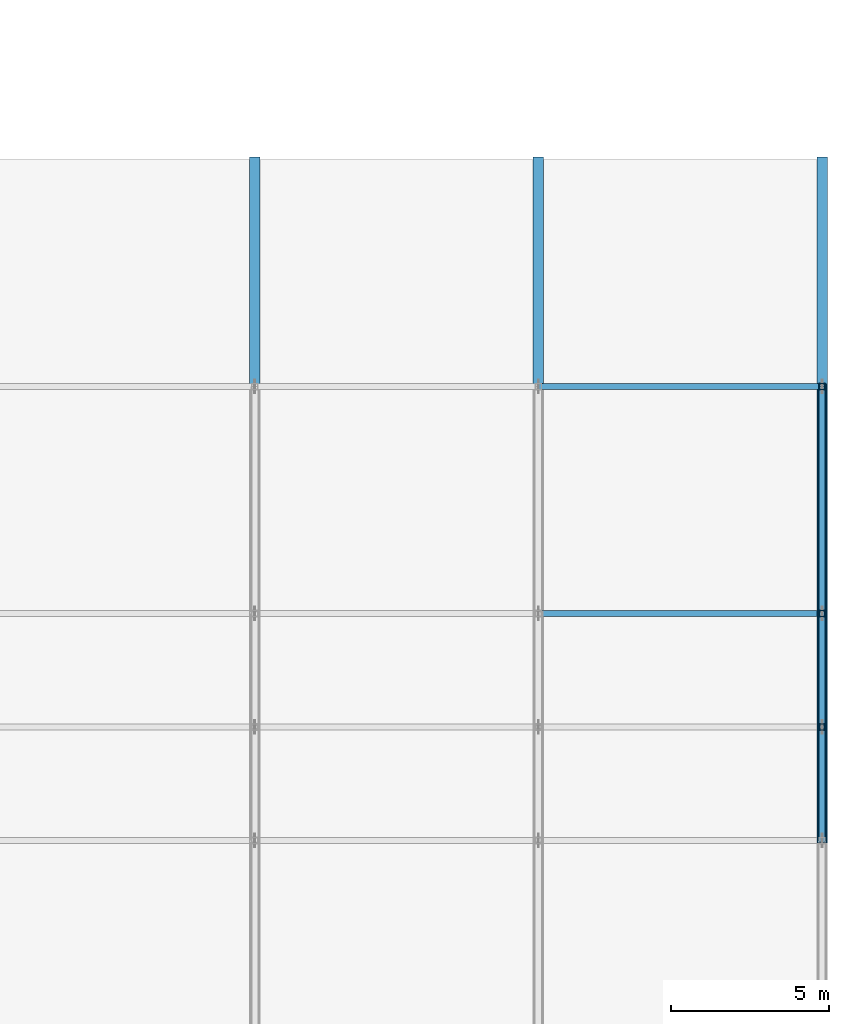
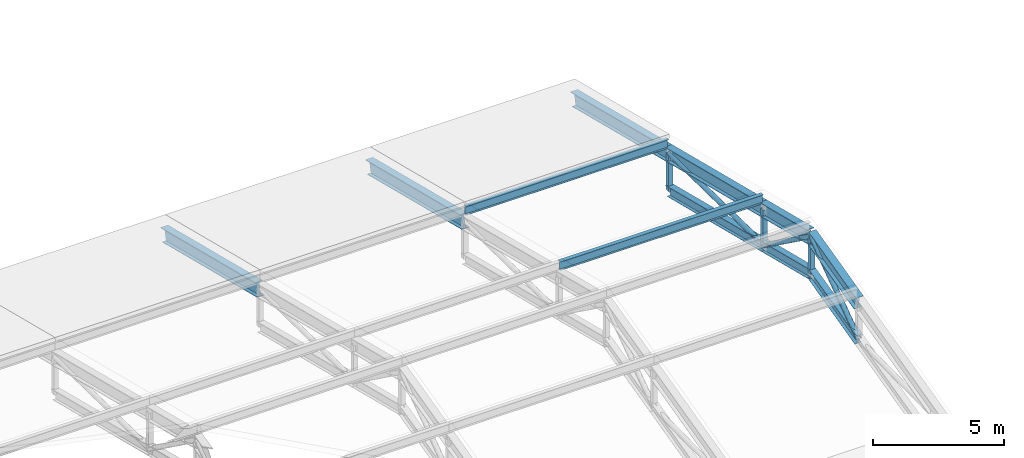
# One storey, part 48 of 124: 17 members.
"""IFC4 building model written with IfcOpenShell, lengths in metres."""

from ifc_helpers import new_model, si_unit, direction, frame, origin, origin_2d, place, context, subcontext, project, spatial, hollow_rectangle, hollow_circle, i_section, extrude, material, material_profile, profile_set, type_object, element, save


model = new_model("IFC4")

# Units and contexts
model_context = context("Model", 3, precision=1e-05, world=origin(), true_north=direction((0.0, 1.0)))
body_context = subcontext(model_context, "Body", "Model", "MODEL_VIEW")
ifc_project = project(units=[si_unit("LENGTHUNIT", "METRE"), si_unit("AREAUNIT", "SQUARE_METRE"), si_unit("VOLUMEUNIT", "CUBIC_METRE"), si_unit("PLANEANGLEUNIT", "RADIAN"), si_unit("MASSUNIT", "GRAM", prefix="KILO")], contexts=[model_context])

# Site, building, storey
site_placement = place(None, origin())
site = spatial("IfcSite", under=ifc_project, at=site_placement, CompositionType="ELEMENT")
building_placement = place(site_placement, origin())
building = spatial("IfcBuilding", under=site, at=building_placement, Name="Celestram Park Convention Centre", CompositionType="ELEMENT")
storey_placement = place(building_placement, frame((0.0, 0.0, 15.300048828125)))
storey = spatial("IfcBuildingStorey", under=building, at=storey_placement, Name="L03", CompositionType="ELEMENT", Elevation=15.300048828125)

# Members
ifc_material_1 = material(Name="Steel ASTM A500 Grade C", Category="steel")
ifc_material_profile_1 = material_profile(ifc_material_1, hollow_circle(Radius=0.109619140625, WallThickness=0.008056640625, at=origin_2d()), Name="CHS219X8")
ifc_profile_set_1 = profile_set([ifc_material_profile_1], Name="Steel ASTM A500 Grade C")
member_type_1 = type_object("IfcMemberType", Name="STR-BRC-CHS219", PredefinedType="BRACE", material=ifc_profile_set_1)
for number, where, z_axis, x_axis, name in (
    (1, (216.0, 14.39990234375, 1.008056640625), (0.0, 0.810702423259, 0.585458436545), (-1.0, 0.0, 0.0), "V3 arch web diagonal"),
    (2, (216.0, 18.0, 3.60791015625), (0.0, 0.810702423259, -0.585458436545), (-1.0, 0.0, 0.0), "V3 arch web diagonal"),
):
    element("IfcMember", number, at=place(storey_placement, frame(where, z_axis=z_axis, x_axis=x_axis)), inside=storey, type_object=member_type_1, Name=name, PredefinedType="BRACE", context=body_context, shape_type="SweptSolid", body=[
        extrude(hollow_circle(Radius=0.109619140625, WallThickness=0.008056640625, at=origin_2d()), origin(), (0.0, 0.0, 1.0), 4.440673828125),
    ])
member_1_placement = place(storey_placement, frame((216.0, 21.60009765625, 1.008056640625), z_axis=(0.0, 0.999903373607, -0.013901203187), x_axis=(-1.0, 0.0, 0.0)))
element("IfcMember", 3, at=member_1_placement, inside=storey, type_object=member_type_1, Name="V3 arch web diagonal", PredefinedType="BRACE", context=body_context, shape_type="SweptSolid", body=[
    extrude(hollow_circle(Radius=0.109619140625, WallThickness=0.008056640625, at=origin_2d()), origin(), (0.0, 0.0, 1.0), 7.20068359375),
])
ifc_material_2 = material(Name="Steel ASTM A992 Grade 50", Category="steel")
ifc_material_profile_2 = material_profile(ifc_material_2, i_section(OverallWidth=0.281982421875, OverallDepth=0.467041015625, WebThickness=0.01220703125, FlangeThickness=0.01953125, at=origin_2d()), Name="W18X86")
ifc_profile_set_2 = profile_set([ifc_material_profile_2], Name="Steel ASTM A992 Grade 50")
member_type_2 = type_object("IfcMemberType", Name="STR-CHD-W18X86", PredefinedType="CHORD", material=ifc_profile_set_2)
for number, where, z_axis, x_axis, name in (
    (4, (216.0, 14.39990234375, 1.008056640625), (0.0, 0.970150239738, 0.242504664565), (-1.0, 0.0, 0.0), "V3 arch bottom chord"),
    (5, (216.0, 18.0, 1.907958984375), (0.0, 0.970150239738, -0.242504664565), (-1.0, 0.0, 0.0), "V3 arch bottom chord"),
):
    element("IfcMember", number, at=place(storey_placement, frame(where, z_axis=z_axis, x_axis=x_axis)), inside=storey, type_object=member_type_2, Name=name, PredefinedType="CHORD", context=body_context, shape_type="SweptSolid", body=[
        extrude(i_section(OverallWidth=0.281982421875, OverallDepth=0.467041015625, WebThickness=0.01220703125, FlangeThickness=0.01953125, at=origin_2d()), origin(), (0.0, 0.0, 1.0), 3.7109375),
    ])
member_2_placement = place(storey_placement, frame((216.0, 21.60009765625, 1.008056640625), z_axis=(0.0, 0.970140565046, -0.242543365301), x_axis=(-1.0, 0.0, 0.0)))
element("IfcMember", 6, at=member_2_placement, inside=storey, type_object=member_type_2, Name="V3 arch bottom chord", PredefinedType="CHORD", context=body_context, shape_type="SweptSolid", body=[
    extrude(i_section(OverallWidth=0.281982421875, OverallDepth=0.467041015625, WebThickness=0.01220703125, FlangeThickness=0.01953125, at=origin_2d()), origin(), (0.0, 0.0, 1.0), 7.421630859375),
])
ifc_material_profile_3 = material_profile(ifc_material_2, i_section(OverallWidth=0.327880859375, OverallDepth=0.6220703125, WebThickness=0.015380859375, FlangeThickness=0.0244140625, at=origin_2d()), Name="W24X131")
ifc_profile_set_3 = profile_set([ifc_material_profile_3], Name="Steel ASTM A992 Grade 50")
member_type_3 = type_object("IfcMemberType", Name="STR-CHD-W24X131", PredefinedType="CHORD", material=ifc_profile_set_3)
for number, where, z_axis, x_axis, name in (
    (7, (198.0, 28.800048828125, 0.907958984375), (0.0, 0.970140565046, -0.242543365301), (-1.0, 0.0, 0.0), "V3 arch top chord"),
    (8, (207.0, 28.800048828125, 0.907958984375), (0.0, 0.970140565046, -0.242543365301), (-1.0, 0.0, 0.0), "V3 arch top chord"),
):
    element("IfcMember", number, at=place(storey_placement, frame(where, z_axis=z_axis, x_axis=x_axis)), inside=storey, type_object=member_type_3, Name=name, PredefinedType="CHORD", context=body_context, shape_type="SweptSolid", body=[
        extrude(i_section(OverallWidth=0.327880859375, OverallDepth=0.6220703125, WebThickness=0.015380859375, FlangeThickness=0.0244140625, at=origin_2d()), origin(), (0.0, 0.0, 1.0), 7.421630859375),
    ])
for number, where, z_axis, x_axis, name in (
    (9, (216.0, 14.39990234375, 2.7080078125), (0.0, 0.970150239738, 0.242504664565), (-1.0, 0.0, 0.0), "V3 arch top chord"),
    (10, (216.0, 18.0, 3.60791015625), (0.0, 0.970150239738, -0.242504664565), (-1.0, 0.0, 0.0), "V3 arch top chord"),
):
    element("IfcMember", number, at=place(storey_placement, frame(where, z_axis=z_axis, x_axis=x_axis)), inside=storey, type_object=member_type_3, Name=name, PredefinedType="CHORD", context=body_context, shape_type="SweptSolid", body=[
        extrude(i_section(OverallWidth=0.327880859375, OverallDepth=0.6220703125, WebThickness=0.015380859375, FlangeThickness=0.0244140625, at=origin_2d()), origin(), (0.0, 0.0, 1.0), 3.7109375),
    ])
for number, where, z_axis, x_axis, name in (
    (11, (216.0, 21.60009765625, 2.7080078125), (0.0, 0.970140565046, -0.242543365301), (-1.0, 0.0, 0.0), "V3 arch top chord"),
    (12, (216.0, 28.800048828125, 0.907958984375), (0.0, 0.970140565046, -0.242543365301), (-1.0, 0.0, 0.0), "V3 arch top chord"),
):
    element("IfcMember", number, at=place(storey_placement, frame(where, z_axis=z_axis, x_axis=x_axis)), inside=storey, type_object=member_type_3, Name=name, PredefinedType="CHORD", context=body_context, shape_type="SweptSolid", body=[
        extrude(i_section(OverallWidth=0.327880859375, OverallDepth=0.6220703125, WebThickness=0.015380859375, FlangeThickness=0.0244140625, at=origin_2d()), origin(), (0.0, 0.0, 1.0), 7.421630859375),
    ])
ifc_material_profile_4 = material_profile(ifc_material_2, i_section(OverallWidth=0.177978515625, OverallDepth=0.406005859375, WebThickness=0.0078125, FlangeThickness=0.0126953125, at=origin_2d()), Name="W16X40")
ifc_profile_set_4 = profile_set([ifc_material_profile_4], Name="Steel ASTM A992 Grade 50")
member_type_4 = type_object("IfcMemberType", Name="STR-RFT-W16X40", PredefinedType="RAFTER", material=ifc_profile_set_4)
for number, where, z_axis, x_axis, name in (
    (13, (207.0, 21.60009765625, 3.221923828125), (1.0, 0.0, 0.0), (0.0, 1.0, 0.0), "V3 roof purlin"),
    (14, (207.0, 28.800048828125, 1.421875), (1.0, 0.0, 0.0), (0.0, 1.0, 0.0), "V3 roof purlin"),
):
    element("IfcMember", number, at=place(storey_placement, frame(where, z_axis=z_axis, x_axis=x_axis)), inside=storey, type_object=member_type_4, Name=name, PredefinedType="RAFTER", context=body_context, shape_type="SweptSolid", body=[
        extrude(i_section(OverallWidth=0.177978515625, OverallDepth=0.406005859375, WebThickness=0.0078125, FlangeThickness=0.0126953125, at=origin_2d()), origin(), (0.0, 0.0, 1.0), 8.919921875),
    ])
ifc_material_profile_5 = material_profile(ifc_material_1, hollow_rectangle(XDim=0.199951171875, YDim=0.199951171875, WallThickness=0.010009765625, at=origin_2d()), Name="HSS200X200X10")
ifc_profile_set_5 = profile_set([ifc_material_profile_5], Name="Steel ASTM A500 Grade C")
member_type_5 = type_object("IfcMemberType", Name="STR-STR-HSS200", PredefinedType="STRUT", material=ifc_profile_set_5)
for number, where, z_axis, x_axis, name in (
    (15, (216.0, 18.0, 1.907958984375), (0.0, 0.0, 1.0), (1.0, 0.0, 0.0), "V3 arch vertical strut"),
    (16, (216.0, 21.60009765625, 1.008056640625), (0.0, 0.0, 1.0), (1.0, 0.0, 0.0), "V3 arch vertical strut"),
    (17, (216.0, 28.800048828125, -0.7919921875), (0.0, 0.0, 1.0), (1.0, 0.0, 0.0), "V3 arch vertical strut"),
):
    element("IfcMember", number, at=place(storey_placement, frame(where, z_axis=z_axis, x_axis=x_axis)), inside=storey, type_object=member_type_5, Name=name, PredefinedType="STRUT", context=body_context, shape_type="SweptSolid", body=[
        extrude(hollow_rectangle(XDim=0.199951171875, YDim=0.199951171875, WallThickness=0.010009765625, at=origin_2d()), origin(), (0.0, 0.0, 1.0), 1.699951171875),
    ])

save(model, "model.ifc")
